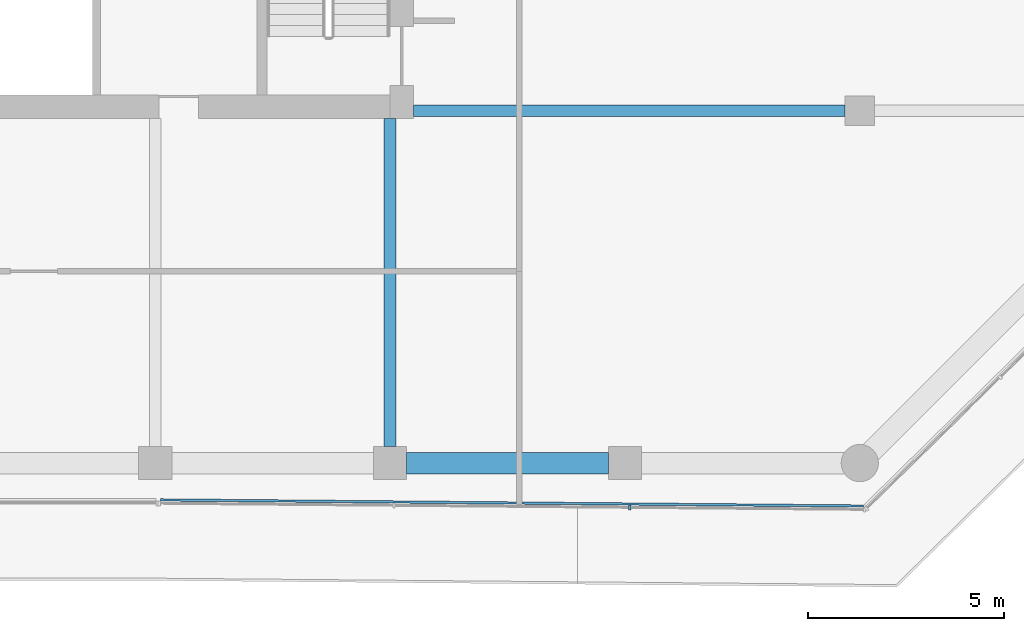
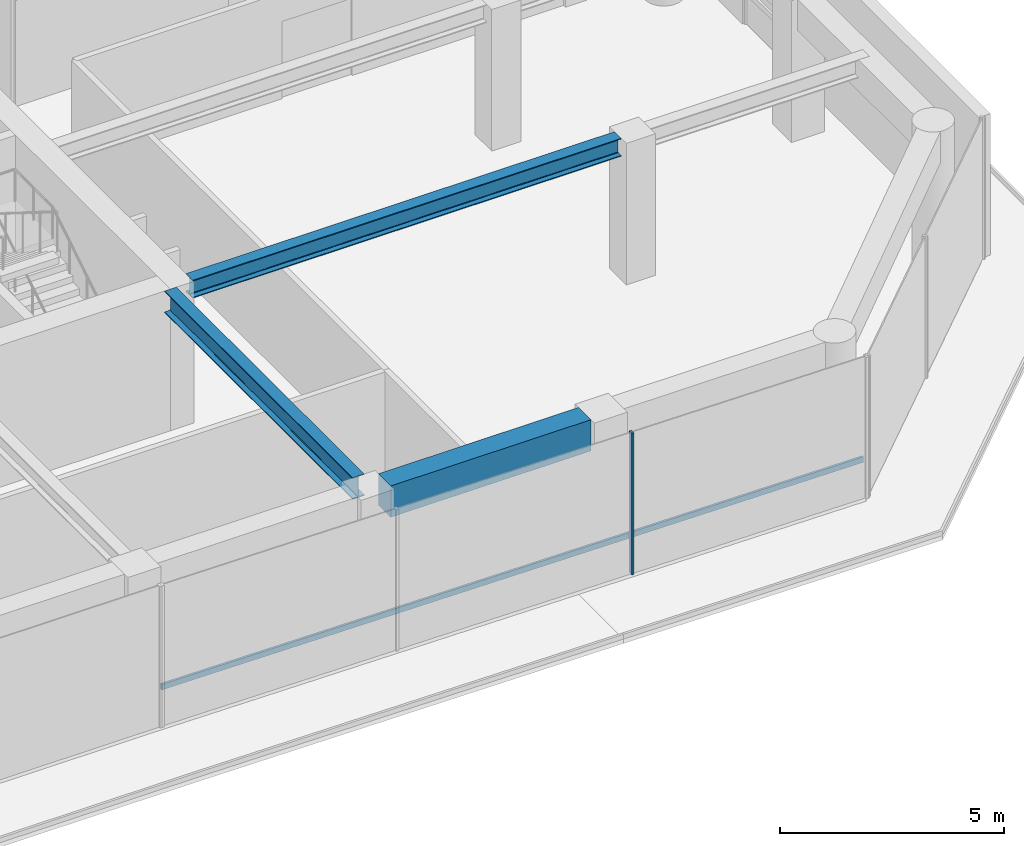
# One storey, part 3 of 19: 3 beams, 2 members, 1 element without a shape of its own.
"""IFC4 building model written with IfcOpenShell, lengths in metres."""

import ifcopenshell
import ifcopenshell.guid

model = None  # the IFC model being written
_history = None  # IfcOwnerHistory: only IFC2X3 demands one
_inside = {}  # id of a spatial element -> (the spatial element, [elements in it])
_under = {}  # id of a project, library or spatial element -> (it, [spatial elements below it])
_declared = {}  # id of a project -> (the project, [libraries it declares])
_typed = {}  # id of a type object -> (the type object, [elements of that type])
_made_of = {}  # id of a material, layer set ... -> (it, [elements and type objects made of it])


def new_model(schema):
    """Start an empty IFC model of exactly this schema.

    Asked for "IFC4X3", IfcOpenShell would pick the latest addendum, in which some entities
    have other attributes; the version numbers below select the first issue.
    IFC2X3 requires an IfcOwnerHistory on every rooted entity: one is made here for all.
    """
    global model, _history
    if schema == "IFC4X3":
        model = ifcopenshell.file(schema_version=(4, 3, 0, 0))
    else:
        model = ifcopenshell.file(schema=schema)
    _inside.clear()
    _under.clear()
    _declared.clear()
    _typed.clear()
    _made_of.clear()
    _history = None
    if model.schema == "IFC2X3":
        org = make("IfcOrganization", Name="unknown")
        user = make(
            "IfcPersonAndOrganization",
            ThePerson=make("IfcPerson", FamilyName="unknown"),
            TheOrganization=org,
        )
        app = make(
            "IfcApplication",
            ApplicationDeveloper=org,
            Version="unknown",
            ApplicationFullName="unknown",
            ApplicationIdentifier="unknown",
        )
        _history = make(
            "IfcOwnerHistory",
            OwningUser=user,
            OwningApplication=app,
            ChangeAction="ADDED",
            CreationDate=0,
        )
    return model


def make(cls, **values):
    """One entity of the class cls with the attributes given. An attribute that is None is left unset."""
    return model.create_entity(
        cls, **{name: value for name, value in values.items() if value is not None}
    )


def rooted(cls, **values):
    """An entity with a GlobalId (a new one), such as an element, a storey or a relation."""
    return make(cls, GlobalId=ifcopenshell.guid.new(), OwnerHistory=_history, **values)


def si_unit(unit_type, name, prefix=None):
    """IfcSIUnit, for example si_unit("LENGTHUNIT", "METRE", prefix="MILLI")."""
    return make("IfcSIUnit", UnitType=unit_type, Prefix=prefix, Name=name)


def assignment(units):
    """IfcUnitAssignment: the units of a project."""
    return None if units is None else make("IfcUnitAssignment", Units=units)


def point(xyz):
    """IfcCartesianPoint."""
    return None if xyz is None else make("IfcCartesianPoint", Coordinates=xyz)


def direction(xyz):
    """IfcDirection."""
    return None if xyz is None else make("IfcDirection", DirectionRatios=xyz)


def frame(location, z_axis=None, x_axis=None):
    """IfcAxis2Placement3D, a coordinate frame: its origin and axes. An axis left out is left unset."""
    return make(
        "IfcAxis2Placement3D",
        Location=point(location),
        Axis=direction(z_axis),
        RefDirection=direction(x_axis),
    )


def frame_2d(location, x_axis=None):
    """IfcAxis2Placement2D, a coordinate frame in the plane: its origin and x axis."""
    return make(
        "IfcAxis2Placement2D", Location=point(location), RefDirection=direction(x_axis)
    )


def origin():
    """The frame at (0, 0, 0) with its axes left unset."""
    return frame((0.0, 0.0, 0.0))


def origin_2d():
    """The frame at (0, 0) in the plane with its x axis left unset."""
    return frame_2d((0.0, 0.0))


def place(relative_to, where):
    """IfcLocalPlacement: puts the frame where relative to a parent placement (None: the world)."""
    return make(
        "IfcLocalPlacement", PlacementRelTo=relative_to, RelativePlacement=where
    )


def context(
    kind, dimensions, precision=None, world=None, true_north=None, identifier=None
):
    """IfcGeometricRepresentationContext, for example the 3D "Model" context."""
    return make(
        "IfcGeometricRepresentationContext",
        ContextIdentifier=identifier,
        ContextType=kind,
        CoordinateSpaceDimension=dimensions,
        Precision=precision,
        WorldCoordinateSystem=world,
        TrueNorth=true_north,
    )


def subcontext(parent, identifier, kind, view, scale=None):
    """IfcGeometricRepresentationSubContext, for example "Body" below "Model"."""
    return make(
        "IfcGeometricRepresentationSubContext",
        ContextIdentifier=identifier,
        ContextType=kind,
        ParentContext=parent,
        TargetScale=scale,
        TargetView=view,
    )


def project(units=None, contexts=None):
    """IfcProject with its units and contexts."""
    return rooted(
        "IfcProject",
        Name="project",
        RepresentationContexts=contexts,
        UnitsInContext=assignment(units),
    )


def spatial(cls, under=None, at=None, **own):
    """A site, building, storey or space (cls), placed at a placement, below another one or the project."""
    s = rooted(cls, ObjectPlacement=at, **own)
    if under is not None:
        _under.setdefault(under.id(), (under, []))[1].append(s)
    return s


def profile(cls, at=None, kind="AREA", **sizes):
    """A parametric profile (cls). Its sizes go by their IFC names, for example OverallWidth=200.0."""
    return make(cls, ProfileType=kind, Position=at, **sizes)


def rectangle(**sizes):
    """IfcRectangleProfileDef."""
    return profile("IfcRectangleProfileDef", **sizes)


def i_section(**sizes):
    """IfcIShapeProfileDef."""
    return profile("IfcIShapeProfileDef", **sizes)


def extrude(swept, where, along, depth):
    """IfcExtrudedAreaSolid: the profile swept, set in the frame where, extruded along a direction by depth."""
    return make(
        "IfcExtrudedAreaSolid",
        SweptArea=swept,
        Position=where,
        ExtrudedDirection=direction(along),
        Depth=depth,
    )


def shape(context_of_items, identifier, shape_type, items):
    """IfcShapeRepresentation: the items that make up one representation, for example the "Body"."""
    return make(
        "IfcShapeRepresentation",
        ContextOfItems=context_of_items,
        RepresentationIdentifier=identifier,
        RepresentationType=shape_type,
        Items=items,
    )


def material(Name=None, Category=None):
    """IfcMaterial."""
    return make("IfcMaterial", Name=Name, Category=Category)


def layer(
    of_material, thickness, ventilated=None, Name=None, Category=None, Priority=None
):
    """IfcMaterialLayer: one layer of a wall or slab, of a material (None: an air gap)."""
    return make(
        "IfcMaterialLayer",
        Material=of_material,
        LayerThickness=thickness,
        IsVentilated=ventilated,
        Name=Name,
        Category=Category,
        Priority=Priority,
    )


def layer_set(layers, Name=None):
    """IfcMaterialLayerSet."""
    return make("IfcMaterialLayerSet", MaterialLayers=layers, LayerSetName=Name)


def material_profile(
    of_material, cross_section, Name=None, Category=None, Priority=None
):
    """IfcMaterialProfile: a cross section and its material."""
    return make(
        "IfcMaterialProfile",
        Name=Name,
        Material=of_material,
        Profile=cross_section,
        Priority=Priority,
        Category=Category,
    )


def profile_set(profiles, Name=None, composite=None):
    """IfcMaterialProfileSet."""
    return make(
        "IfcMaterialProfileSet",
        Name=Name,
        MaterialProfiles=profiles,
        CompositeProfile=composite,
    )


def made_of(thing, what):
    """Note that an element or type object is made of a material, layer set ...; save() writes the relation."""
    if what is not None:
        _made_of.setdefault(what.id(), (what, []))[1].append(thing)
    return thing


def type_object(cls, material=None, **own):
    """A type object (cls), such as IfcWallType, which elements share."""
    return made_of(rooted(cls, **own), material)


def element(
    cls,
    number,
    at=None,
    inside=None,
    cuts=None,
    type_object=None,
    material=None,
    context=None,
    identifier="Body",
    shape_type=None,
    held_by="IfcProductDefinitionShape",
    body=None,
    shapes=None,
    **own,
):
    """One element of the class cls, such as IfcWall. Its Tag is "e" and its number.

    at: its placement. inside: the storey or other place that contains it. cuts: it is an
    opening in that element (IfcRelVoidsElement). A single representation is given by context,
    identifier, shape_type and body (its items); several are given by shapes. held_by: the class
    of the entity that holds the representations. save() writes the other relations.
    """
    e = rooted(cls, Tag="e%d" % number, ObjectPlacement=at, **own)
    if body is not None:
        shapes = [shape(context, identifier, shape_type, body)]
    if shapes is not None:
        e.Representation = make(held_by, Representations=shapes)
    if inside is not None:
        _inside.setdefault(inside.id(), (inside, []))[1].append(e)
    if cuts is not None:
        rooted(
            "IfcRelVoidsElement", RelatingBuildingElement=cuts, RelatedOpeningElement=e
        )
    if type_object is not None:
        _typed.setdefault(type_object.id(), (type_object, []))[1].append(e)
    return made_of(e, material)


def aggregate(whole, parts):
    """IfcRelAggregates: a whole, such as a stair, and the parts it consists of."""
    return rooted("IfcRelAggregates", RelatingObject=whole, RelatedObjects=parts)


def save(model, path):
    """Write the relations noted so far, then the file.

    IfcRelAggregates (storeys below a building ...), IfcRelContainedInSpatialStructure (elements
    in a storey), IfcRelDefinesByType, IfcRelAssociatesMaterial and IfcRelDeclares: one each for
    every whole, place, type object, material and project.
    """
    for whole, parts in _under.values():
        aggregate(whole, parts)
    for where, things in _inside.values():
        rooted(
            "IfcRelContainedInSpatialStructure",
            RelatedElements=things,
            RelatingStructure=where,
        )
    for kind, things in _typed.values():
        rooted("IfcRelDefinesByType", RelatedObjects=things, RelatingType=kind)
    for what, things in _made_of.values():
        rooted("IfcRelAssociatesMaterial", RelatedObjects=things, RelatingMaterial=what)
    for by, libraries in _declared.values():
        rooted("IfcRelDeclares", RelatingContext=by, RelatedDefinitions=libraries)
    model.write(path)


model = new_model("IFC4")

# Units and contexts
model_context = context("Model", 3, precision=1e-05, world=origin(), true_north=direction((0.0, 1.0)))
body_context = subcontext(model_context, "Body", "Model", "MODEL_VIEW")
ifc_project = project(units=[si_unit("LENGTHUNIT", "METRE"), si_unit("AREAUNIT", "SQUARE_METRE"), si_unit("VOLUMEUNIT", "CUBIC_METRE"), si_unit("PLANEANGLEUNIT", "RADIAN"), si_unit("MASSUNIT", "GRAM", prefix="KILO")], contexts=[model_context])

# Site, building, storey
site_placement = place(None, origin())
site = spatial("IfcSite", under=ifc_project, at=site_placement, CompositionType="ELEMENT")
building_placement = place(site_placement, origin())
building = spatial("IfcBuilding", under=site, at=building_placement, Name="Welwitschia Terrace Campus", CompositionType="ELEMENT")
storey_placement = place(building_placement, frame((0.0, 0.0, 167.60009765625)))
storey = spatial("IfcBuildingStorey", under=building, at=storey_placement, Name="L37", CompositionType="ELEMENT", Elevation=167.60009765625)

# Beam
ifc_material_1 = material(Name="Steel S355", Category="steel")
ifc_material_profile_1 = material_profile(ifc_material_1, i_section(OverallWidth=0.300048828125, OverallDepth=0.489990234375, WebThickness=0.011962890625, FlangeThickness=0.02294921875, FilletRadius=0.027099609375, at=origin_2d()))
ifc_profile_set_1 = profile_set([ifc_material_profile_1], Name="Steel S355")
beam_type_1 = type_object("IfcBeamType", Name="Interior girder HE 500 A", PredefinedType="BEAM", material=ifc_profile_set_1)
beam_1_placement = place(storey_placement, frame((24.60107421875, 5.0, 3.60498046875), z_axis=(1.0, 0.0, 0.0), x_axis=(0.0, 1.0, 0.0)))
element("IfcBeam", 1, at=beam_1_placement, inside=storey, type_object=beam_type_1, Name="Girder GB4", PredefinedType="BEAM", context=body_context, shape_type="SweptSolid", body=[
    extrude(i_section(OverallWidth=0.300048828125, OverallDepth=0.489990234375, WebThickness=0.011962890625, FlangeThickness=0.02294921875, FilletRadius=0.027099609375, at=origin_2d()), origin(), (0.0, 0.0, 1.0), 11.0234375),
])

# Curtain wall, member
ifc_material_2 = material(Name="Bronze anodised aluminium", Category="aluminium")
ifc_layer = layer(ifc_material_2, 0.1201171875)
ifc_layer_set = layer_set([ifc_layer], Name="Bronze anodised aluminium")
curtain_wall_type = type_object("IfcCurtainWallType", Name="Curtain wall CW2 tower 6000", PredefinedType="NOTDEFINED", material=ifc_layer_set)
curtain_wall_placement = place(storey_placement, origin())
curtain_wall = element("IfcCurtainWall", 2, at=curtain_wall_placement, inside=storey, type_object=curtain_wall_type, Name="CW L37.5.0", PredefinedType="NOTDEFINED")
ifc_material_3 = material(Name="Bronze anodised aluminium", Category="aluminium")
ifc_material_profile_2 = material_profile(ifc_material_3, rectangle(XDim=0.1201171875, YDim=0.06005859375, at=origin_2d()))
ifc_profile_set_2 = profile_set([ifc_material_profile_2], Name="Bronze anodised aluminium")
member_type_1 = type_object("IfcMemberType", Name="Mullion 60x120", PredefinedType="MULLION", material=ifc_profile_set_2)
member_1_placement = place(storey_placement, frame((30.12646484375, -5.13525390625, 0.0), z_axis=(0.0, 0.0, 1.0), x_axis=(0.008726535498, 0.999961923064, 0.0)))
member_1 = element("IfcMember", 3, at=member_1_placement, type_object=member_type_1, Name="Mullion L37.5.0.2", PredefinedType="MULLION", context=body_context, shape_type="SweptSolid", body=[
    extrude(rectangle(XDim=0.1201171875, YDim=0.06005859375, at=origin_2d()), origin(), (0.0, 0.0, 1.0), 3.849853515625),
])

# Beams
ifc_material_4 = material(Name="Steel S355", Category="steel")
ifc_material_profile_3 = material_profile(ifc_material_4, i_section(OverallWidth=0.300048828125, OverallDepth=0.590087890625, WebThickness=0.012939453125, FlangeThickness=0.02490234375, FilletRadius=0.027099609375, at=origin_2d()))
ifc_profile_set_3 = profile_set([ifc_material_profile_3], Name="Steel S355")
beam_type_2 = type_object("IfcBeamType", Name="Primary beam HE 600 A", PredefinedType="BEAM", material=ifc_profile_set_3)
beam_2_placement = place(storey_placement, frame((24.0, -3.574462890625, 3.554931640625), z_axis=(0.0, 1.0, 0.0), x_axis=(-1.0, 0.0, 0.0)))
element("IfcBeam", 4, at=beam_2_placement, inside=storey, type_object=beam_type_2, Name="Primary beam PB4", PredefinedType="BEAM", context=body_context, shape_type="SweptSolid", body=[
    extrude(i_section(OverallWidth=0.300048828125, OverallDepth=0.590087890625, WebThickness=0.012939453125, FlangeThickness=0.02490234375, FilletRadius=0.027099609375, at=origin_2d()), origin(), (0.0, 0.0, 1.0), 8.37451171875),
])
ifc_material_5 = material(Name="Concrete C50/60", Category="concrete")
ifc_material_profile_4 = material_profile(ifc_material_5, rectangle(XDim=0.550048828125, YDim=0.85009765625, at=origin_2d()))
ifc_profile_set_4 = profile_set([ifc_material_profile_4], Name="Concrete C50/60")
beam_type_3 = type_object("IfcBeamType", Name="Ring spandrel 550x850", PredefinedType="SPANDREL", material=ifc_profile_set_4)
beam_3_placement = place(storey_placement, frame((24.425537109375, -4.0, 3.4248046875), z_axis=(1.0, 0.0, 0.0), x_axis=(0.0, 1.0, 0.0)))
element("IfcBeam", 5, at=beam_3_placement, inside=storey, type_object=beam_type_3, Name="Spandrel SP3", PredefinedType="SPANDREL", context=body_context, shape_type="SweptSolid", body=[
    extrude(rectangle(XDim=0.550048828125, YDim=0.85009765625, at=origin_2d()), origin(), (0.0, 0.0, 1.0), 5.14892578125),
])

# Member
ifc_material_6 = material(Name="Bronze anodised aluminium", Category="aluminium")
ifc_material_profile_5 = material_profile(ifc_material_6, rectangle(XDim=0.06005859375, YDim=0.14990234375, at=origin_2d()))
ifc_profile_set_5 = profile_set([ifc_material_profile_5], Name="Bronze anodised aluminium")
member_type_2 = type_object("IfcMemberType", Name="Transom 60x150", PredefinedType="USERDEFINED", material=ifc_profile_set_5)
member_2_placement = place(storey_placement, frame((18.137451171875, -4.9404296875, 1.0), z_axis=(0.999961898299, -0.008729372858, 0.0), x_axis=(0.008729372858, 0.999961898299, 0.0)))
member_2 = element("IfcMember", 6, at=member_2_placement, type_object=member_type_2, Name="Transom L37.5.0", ObjectType="TRANSOM", PredefinedType="USERDEFINED", context=body_context, shape_type="SweptSolid", body=[
    extrude(rectangle(XDim=0.06005859375, YDim=0.14990234375, at=origin_2d()), origin(), (0.0, 0.0, 1.0), 17.955322265625),
])

aggregate(curtain_wall, [member_1, member_2])

save(model, "model.ifc")
